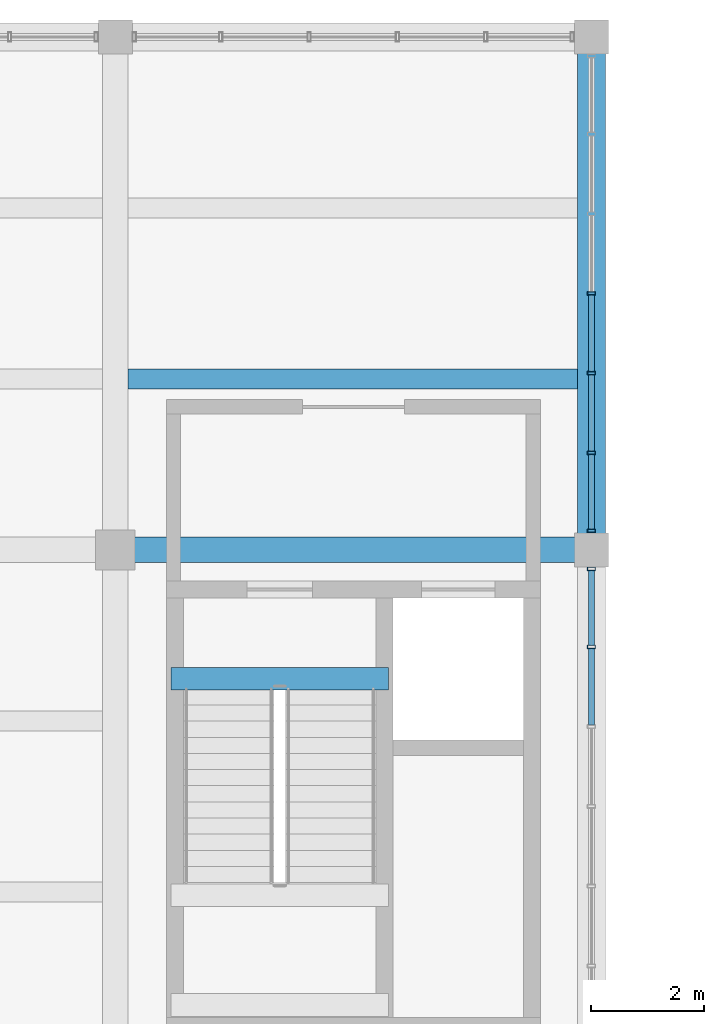
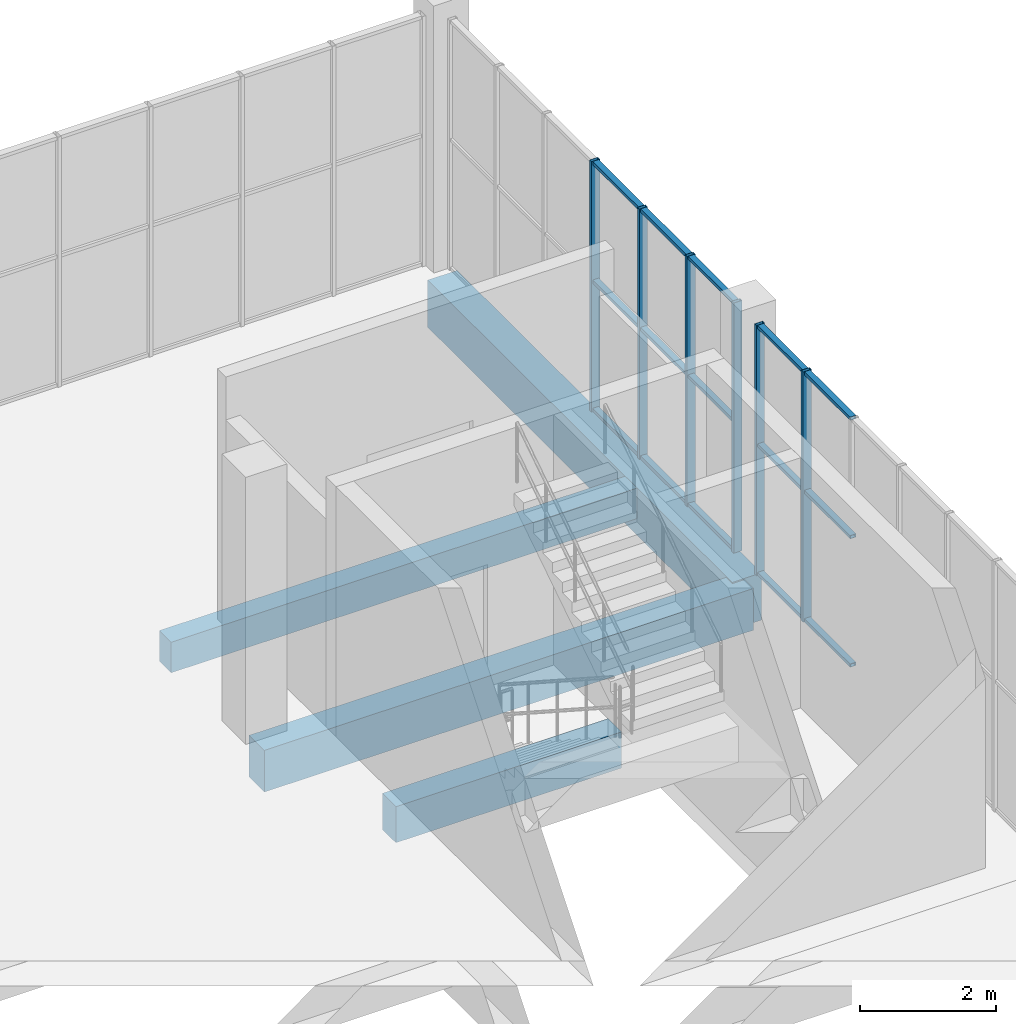
# One storey, part 34 of 80: 21 members, 4 beams, 2 elements without a shape of their own.
"""IFC4 building model written with IfcOpenShell, lengths in metres."""

from ifc_helpers import new_model, si_unit, direction, frame, origin, origin_2d, place, context, subcontext, project, spatial, rectangle, hollow_rectangle, extrude, material, material_profile, profile_set, type_object, element, aggregate, save


model = new_model("IFC4")

# Units and contexts
model_context = context("Model", 3, precision=1e-05, world=origin(), true_north=direction((0.0, 1.0)))
body_context = subcontext(model_context, "Body", "Model", "MODEL_VIEW")
ifc_project = project(units=[si_unit("LENGTHUNIT", "METRE"), si_unit("AREAUNIT", "SQUARE_METRE"), si_unit("VOLUMEUNIT", "CUBIC_METRE"), si_unit("PLANEANGLEUNIT", "RADIAN"), si_unit("MASSUNIT", "GRAM", prefix="KILO")], contexts=[model_context])

# Site, building, storey
site_placement = place(None, origin())
site = spatial("IfcSite", under=ifc_project, at=site_placement, CompositionType="ELEMENT")
building_placement = place(site_placement, origin())
building = spatial("IfcBuilding", under=site, at=building_placement, Name="Khurvash Pelagic Aquarium", CompositionType="ELEMENT")
storey_placement = place(building_placement, frame((0.0, 0.0, 10.800048828125)))
storey = spatial("IfcBuildingStorey", under=building, at=storey_placement, Name="L02", CompositionType="ELEMENT", Elevation=10.800048828125)

# Beams
ifc_material_1 = material(Name="Concrete C35/45", Category="concrete")
ifc_material_profile_1 = material_profile(ifc_material_1, rectangle(XDim=0.449951171875, YDim=0.75, at=origin_2d()), Name="RC450X750")
ifc_profile_set_1 = profile_set([ifc_material_profile_1], Name="Concrete C35/45")
beam_type_1 = type_object("IfcBeamType", Name="BM-04", PredefinedType="BEAM", material=ifc_profile_set_1)
beam_1_placement = place(storey_placement, frame((109.239990234375, 93.10009765625, -0.695068359375), z_axis=(1.0, 0.0, 0.0), x_axis=(0.0, 1.0, 0.0)))
element("IfcBeam", 1, at=beam_1_placement, inside=storey, type_object=beam_type_1, Name="L02 Primary Girder BM-04 00638", PredefinedType="BEAM", context=body_context, shape_type="SweptSolid", body=[
    extrude(rectangle(XDim=0.449951171875, YDim=0.75, at=origin_2d()), origin(), (0.0, 0.0, 1.0), 8.320068359375),
])
ifc_material_profile_2 = material_profile(ifc_material_1, rectangle(XDim=0.39990234375, YDim=0.64990234375, at=origin_2d()), Name="RC400X650")
ifc_profile_set_2 = profile_set([ifc_material_profile_2], Name="Concrete C35/45")
beam_type_2 = type_object("IfcBeamType", Name="BM-05", PredefinedType="BEAM", material=ifc_profile_set_2)
beam_2_placement = place(storey_placement, frame((110.179931640625, 90.830078125, -0.625), z_axis=(1.0, 0.0, 0.0), x_axis=(0.0, 1.0, 0.0)))
element("IfcBeam", 2, at=beam_2_placement, inside=storey, type_object=beam_type_2, Name="L02 Stair ST-06 Header Trimmer Beam BM-05", PredefinedType="BEAM", context=body_context, shape_type="SweptSolid", body=[
    extrude(rectangle(XDim=0.39990234375, YDim=0.64990234375, at=origin_2d()), origin(), (0.0, 0.0, 1.0), 3.840087890625),
])

# Curtain wall, members
ifc_material_2 = material(Name="Anodised aluminium and low-E laminated glass", Category="aluminium")
curtain_wall_type = type_object("IfcCurtainWallType", Name="CW-03", PredefinedType="USERDEFINED", material=ifc_material_2)
curtain_wall_1_placement = place(storey_placement, origin())
curtain_wall_1 = element("IfcCurtainWall", 3, at=curtain_wall_1_placement, inside=storey, type_object=curtain_wall_type, Name="L02 Facade Unitised Curtain Wall CW-03 0162", ObjectType="UNITISED CURTAIN WALL", PredefinedType="USERDEFINED")
ifc_material_3 = material(Name="Extruded aluminium AW-6063-T6", Category="aluminium")
ifc_material_profile_3 = material_profile(ifc_material_3, hollow_rectangle(XDim=0.06005859375, YDim=0.139892578125, WallThickness=0.00390625, at=origin_2d()), Name="CWM60X140X4")
ifc_profile_set_3 = profile_set([ifc_material_profile_3], Name="Extruded aluminium AW-6063-T6")
member_type_1 = type_object("IfcMemberType", Name="CM-03", PredefinedType="MULLION", material=ifc_profile_set_3)
member_1_placement = place(storey_placement, frame((117.60009765625, 91.388427734375, 0.0), z_axis=(0.0, 0.0, 1.0), x_axis=(0.0, 1.0, 0.0)))
member_1 = element("IfcMember", 4, at=member_1_placement, type_object=member_type_1, Name="CW-03 mullion 6", PredefinedType="MULLION", context=body_context, shape_type="SweptSolid", body=[
    extrude(hollow_rectangle(XDim=0.06005859375, YDim=0.139892578125, WallThickness=0.00390625, at=origin_2d()), origin(), (0.0, 0.0, 1.0), 4.5),
])
member_2_placement = place(storey_placement, frame((117.60009765625, 92.764892578125, 0.0), z_axis=(0.0, 0.0, 1.0), x_axis=(0.0, 1.0, 0.0)))
member_2 = element("IfcMember", 5, at=member_2_placement, type_object=member_type_1, Name="CW-03 mullion 7", PredefinedType="MULLION", context=body_context, shape_type="SweptSolid", body=[
    extrude(hollow_rectangle(XDim=0.06005859375, YDim=0.139892578125, WallThickness=0.00390625, at=origin_2d()), origin(), (0.0, 0.0, 1.0), 4.5),
])

curtain_wall_2_placement = place(storey_placement, origin())
curtain_wall_2 = element("IfcCurtainWall", 6, at=curtain_wall_2_placement, inside=storey, type_object=curtain_wall_type, Name="L02 Facade Unitised Curtain Wall CW-03 0163", ObjectType="UNITISED CURTAIN WALL", PredefinedType="USERDEFINED")
member_3_placement = place(storey_placement, frame((117.60009765625, 93.43505859375, 0.0), z_axis=(0.0, 0.0, 1.0), x_axis=(0.0, 1.0, 0.0)))
member_3 = element("IfcMember", 7, at=member_3_placement, type_object=member_type_1, Name="CW-03 mullion 1", PredefinedType="MULLION", context=body_context, shape_type="SweptSolid", body=[
    extrude(hollow_rectangle(XDim=0.06005859375, YDim=0.139892578125, WallThickness=0.00390625, at=origin_2d()), origin(), (0.0, 0.0, 1.0), 4.5),
])
member_4_placement = place(storey_placement, frame((117.60009765625, 94.811767578125, 0.0), z_axis=(0.0, 0.0, 1.0), x_axis=(0.0, 1.0, 0.0)))
member_4 = element("IfcMember", 8, at=member_4_placement, type_object=member_type_1, Name="CW-03 mullion 2", PredefinedType="MULLION", context=body_context, shape_type="SweptSolid", body=[
    extrude(hollow_rectangle(XDim=0.06005859375, YDim=0.139892578125, WallThickness=0.00390625, at=origin_2d()), origin(), (0.0, 0.0, 1.0), 4.5),
])
member_5_placement = place(storey_placement, frame((117.60009765625, 96.21826171875, 0.0), z_axis=(0.0, 0.0, 1.0), x_axis=(0.0, 1.0, 0.0)))
member_5 = element("IfcMember", 9, at=member_5_placement, type_object=member_type_1, Name="CW-03 mullion 3", PredefinedType="MULLION", context=body_context, shape_type="SweptSolid", body=[
    extrude(hollow_rectangle(XDim=0.06005859375, YDim=0.139892578125, WallThickness=0.00390625, at=origin_2d()), origin(), (0.0, 0.0, 1.0), 4.5),
])
member_6_placement = place(storey_placement, frame((117.60009765625, 97.625, 0.0), z_axis=(0.0, 0.0, 1.0), x_axis=(0.0, 1.0, 0.0)))
member_6 = element("IfcMember", 10, at=member_6_placement, type_object=member_type_1, Name="CW-03 mullion 4", PredefinedType="MULLION", context=body_context, shape_type="SweptSolid", body=[
    extrude(hollow_rectangle(XDim=0.06005859375, YDim=0.139892578125, WallThickness=0.00390625, at=origin_2d()), origin(), (0.0, 0.0, 1.0), 4.5),
])

# Member
ifc_material_profile_4 = material_profile(ifc_material_3, hollow_rectangle(XDim=0.10009765625, YDim=0.06005859375, WallThickness=0.00390625, at=origin_2d()), Name="CWT100X60X4")
ifc_profile_set_4 = profile_set([ifc_material_profile_4], Name="Extruded aluminium AW-6063-T6")
member_type_2 = type_object("IfcMemberType", Name="CT-03", PredefinedType="USERDEFINED", material=ifc_profile_set_4)
member_7_placement = place(storey_placement, frame((117.60009765625, 90.01171875, 0.030029296875), z_axis=(0.0, 1.0, 0.0), x_axis=(-1.0, 0.0, 0.0)))
member_7 = element("IfcMember", 11, at=member_7_placement, type_object=member_type_2, Name="CW-03 transom 5.1", ObjectType="TRANSOM", PredefinedType="USERDEFINED", context=body_context, shape_type="SweptSolid", body=[
    extrude(hollow_rectangle(XDim=0.10009765625, YDim=0.06005859375, WallThickness=0.00390625, at=origin_2d()), origin(), (0.0, 0.0, 1.0), 1.3466796875),
])

member_8_placement = place(storey_placement, frame((117.60009765625, 90.01171875, 2.33984375), z_axis=(0.0, 1.0, 0.0), x_axis=(-1.0, 0.0, 0.0)))
member_8 = element("IfcMember", 12, at=member_8_placement, type_object=member_type_2, Name="CW-03 transom 5.2", ObjectType="TRANSOM", PredefinedType="USERDEFINED", context=body_context, shape_type="SweptSolid", body=[
    extrude(hollow_rectangle(XDim=0.10009765625, YDim=0.06005859375, WallThickness=0.00390625, at=origin_2d()), origin(), (0.0, 0.0, 1.0), 1.3466796875),
])

member_9_placement = place(storey_placement, frame((117.60009765625, 90.01171875, 4.469970703125), z_axis=(0.0, 1.0, 0.0), x_axis=(-1.0, 0.0, 0.0)))
member_9 = element("IfcMember", 13, at=member_9_placement, type_object=member_type_2, Name="CW-03 transom 5.3", ObjectType="TRANSOM", PredefinedType="USERDEFINED", context=body_context, shape_type="SweptSolid", body=[
    extrude(hollow_rectangle(XDim=0.10009765625, YDim=0.06005859375, WallThickness=0.00390625, at=origin_2d()), origin(), (0.0, 0.0, 1.0), 1.3466796875),
])

member_10_placement = place(storey_placement, frame((117.60009765625, 91.418212890625, 0.030029296875), z_axis=(0.0, 1.0, 0.0), x_axis=(-1.0, 0.0, 0.0)))
member_10 = element("IfcMember", 14, at=member_10_placement, type_object=member_type_2, Name="CW-03 transom 6.1", ObjectType="TRANSOM", PredefinedType="USERDEFINED", context=body_context, shape_type="SweptSolid", body=[
    extrude(hollow_rectangle(XDim=0.10009765625, YDim=0.06005859375, WallThickness=0.00390625, at=origin_2d()), origin(), (0.0, 0.0, 1.0), 1.31689453125),
])

member_11_placement = place(storey_placement, frame((117.60009765625, 91.418212890625, 2.33984375), z_axis=(0.0, 1.0, 0.0), x_axis=(-1.0, 0.0, 0.0)))
member_11 = element("IfcMember", 15, at=member_11_placement, type_object=member_type_2, Name="CW-03 transom 6.2", ObjectType="TRANSOM", PredefinedType="USERDEFINED", context=body_context, shape_type="SweptSolid", body=[
    extrude(hollow_rectangle(XDim=0.10009765625, YDim=0.06005859375, WallThickness=0.00390625, at=origin_2d()), origin(), (0.0, 0.0, 1.0), 1.31689453125),
])

member_12_placement = place(storey_placement, frame((117.60009765625, 91.418212890625, 4.469970703125), z_axis=(0.0, 1.0, 0.0), x_axis=(-1.0, 0.0, 0.0)))
member_12 = element("IfcMember", 16, at=member_12_placement, type_object=member_type_2, Name="CW-03 transom 6.3", ObjectType="TRANSOM", PredefinedType="USERDEFINED", context=body_context, shape_type="SweptSolid", body=[
    extrude(hollow_rectangle(XDim=0.10009765625, YDim=0.06005859375, WallThickness=0.00390625, at=origin_2d()), origin(), (0.0, 0.0, 1.0), 1.31689453125),
])

aggregate(curtain_wall_1, [member_1, member_2, member_7, member_8, member_9, member_10, member_11, member_12])

member_13_placement = place(storey_placement, frame((117.60009765625, 93.465087890625, 0.030029296875), z_axis=(0.0, 1.0, 0.0), x_axis=(-1.0, 0.0, 0.0)))
member_13 = element("IfcMember", 17, at=member_13_placement, type_object=member_type_2, Name="CW-03 transom 1.1", ObjectType="TRANSOM", PredefinedType="USERDEFINED", context=body_context, shape_type="SweptSolid", body=[
    extrude(hollow_rectangle(XDim=0.10009765625, YDim=0.06005859375, WallThickness=0.00390625, at=origin_2d()), origin(), (0.0, 0.0, 1.0), 1.316650390625),
])

member_14_placement = place(storey_placement, frame((117.60009765625, 93.465087890625, 2.33984375), z_axis=(0.0, 1.0, 0.0), x_axis=(-1.0, 0.0, 0.0)))
member_14 = element("IfcMember", 18, at=member_14_placement, type_object=member_type_2, Name="CW-03 transom 1.2", ObjectType="TRANSOM", PredefinedType="USERDEFINED", context=body_context, shape_type="SweptSolid", body=[
    extrude(hollow_rectangle(XDim=0.10009765625, YDim=0.06005859375, WallThickness=0.00390625, at=origin_2d()), origin(), (0.0, 0.0, 1.0), 1.316650390625),
])

member_15_placement = place(storey_placement, frame((117.60009765625, 93.465087890625, 4.469970703125), z_axis=(0.0, 1.0, 0.0), x_axis=(-1.0, 0.0, 0.0)))
member_15 = element("IfcMember", 19, at=member_15_placement, type_object=member_type_2, Name="CW-03 transom 1.3", ObjectType="TRANSOM", PredefinedType="USERDEFINED", context=body_context, shape_type="SweptSolid", body=[
    extrude(hollow_rectangle(XDim=0.10009765625, YDim=0.06005859375, WallThickness=0.00390625, at=origin_2d()), origin(), (0.0, 0.0, 1.0), 1.316650390625),
])

member_16_placement = place(storey_placement, frame((117.60009765625, 94.841552734375, 0.030029296875), z_axis=(0.0, 1.0, 0.0), x_axis=(-1.0, 0.0, 0.0)))
member_16 = element("IfcMember", 20, at=member_16_placement, type_object=member_type_2, Name="CW-03 transom 2.1", ObjectType="TRANSOM", PredefinedType="USERDEFINED", context=body_context, shape_type="SweptSolid", body=[
    extrude(hollow_rectangle(XDim=0.10009765625, YDim=0.06005859375, WallThickness=0.00390625, at=origin_2d()), origin(), (0.0, 0.0, 1.0), 1.3466796875),
])

member_17_placement = place(storey_placement, frame((117.60009765625, 94.841552734375, 2.33984375), z_axis=(0.0, 1.0, 0.0), x_axis=(-1.0, 0.0, 0.0)))
member_17 = element("IfcMember", 21, at=member_17_placement, type_object=member_type_2, Name="CW-03 transom 2.2", ObjectType="TRANSOM", PredefinedType="USERDEFINED", context=body_context, shape_type="SweptSolid", body=[
    extrude(hollow_rectangle(XDim=0.10009765625, YDim=0.06005859375, WallThickness=0.00390625, at=origin_2d()), origin(), (0.0, 0.0, 1.0), 1.3466796875),
])

member_18_placement = place(storey_placement, frame((117.60009765625, 94.841552734375, 4.469970703125), z_axis=(0.0, 1.0, 0.0), x_axis=(-1.0, 0.0, 0.0)))
member_18 = element("IfcMember", 22, at=member_18_placement, type_object=member_type_2, Name="CW-03 transom 2.3", ObjectType="TRANSOM", PredefinedType="USERDEFINED", context=body_context, shape_type="SweptSolid", body=[
    extrude(hollow_rectangle(XDim=0.10009765625, YDim=0.06005859375, WallThickness=0.00390625, at=origin_2d()), origin(), (0.0, 0.0, 1.0), 1.3466796875),
])

member_19_placement = place(storey_placement, frame((117.60009765625, 96.248291015625, 0.030029296875), z_axis=(0.0, 1.0, 0.0), x_axis=(-1.0, 0.0, 0.0)))
member_19 = element("IfcMember", 23, at=member_19_placement, type_object=member_type_2, Name="CW-03 transom 3.1", ObjectType="TRANSOM", PredefinedType="USERDEFINED", context=body_context, shape_type="SweptSolid", body=[
    extrude(hollow_rectangle(XDim=0.10009765625, YDim=0.06005859375, WallThickness=0.00390625, at=origin_2d()), origin(), (0.0, 0.0, 1.0), 1.3466796875),
])

member_20_placement = place(storey_placement, frame((117.60009765625, 96.248291015625, 2.33984375), z_axis=(0.0, 1.0, 0.0), x_axis=(-1.0, 0.0, 0.0)))
member_20 = element("IfcMember", 24, at=member_20_placement, type_object=member_type_2, Name="CW-03 transom 3.2", ObjectType="TRANSOM", PredefinedType="USERDEFINED", context=body_context, shape_type="SweptSolid", body=[
    extrude(hollow_rectangle(XDim=0.10009765625, YDim=0.06005859375, WallThickness=0.00390625, at=origin_2d()), origin(), (0.0, 0.0, 1.0), 1.3466796875),
])

member_21_placement = place(storey_placement, frame((117.60009765625, 96.248291015625, 4.469970703125), z_axis=(0.0, 1.0, 0.0), x_axis=(-1.0, 0.0, 0.0)))
member_21 = element("IfcMember", 25, at=member_21_placement, type_object=member_type_2, Name="CW-03 transom 3.3", ObjectType="TRANSOM", PredefinedType="USERDEFINED", context=body_context, shape_type="SweptSolid", body=[
    extrude(hollow_rectangle(XDim=0.10009765625, YDim=0.06005859375, WallThickness=0.00390625, at=origin_2d()), origin(), (0.0, 0.0, 1.0), 1.3466796875),
])

aggregate(curtain_wall_2, [member_3, member_4, member_5, member_6, member_13, member_14, member_15, member_16, member_17, member_18, member_19, member_20, member_21])

# Beams
ifc_material_profile_5 = material_profile(ifc_material_1, rectangle(XDim=0.35009765625, YDim=0.550048828125, at=origin_2d()), Name="RC350X550")
ifc_profile_set_5 = profile_set([ifc_material_profile_5], Name="Concrete C35/45")
beam_type_3 = type_object("IfcBeamType", Name="JS-01", PredefinedType="JOIST", material=ifc_profile_set_5)
beam_3_placement = place(storey_placement, frame((109.425048828125, 96.116943359375, -0.574951171875), z_axis=(1.0, 0.0, 0.0), x_axis=(0.0, 1.0, 0.0)))
element("IfcBeam", 26, at=beam_3_placement, inside=storey, type_object=beam_type_3, Name="L02 Floor Joist JS-01 00827", PredefinedType="JOIST", context=body_context, shape_type="SweptSolid", body=[
    extrude(rectangle(XDim=0.35009765625, YDim=0.550048828125, at=origin_2d()), origin(), (0.0, 0.0, 1.0), 7.925048828125),
])
ifc_material_4 = material(Name="Concrete C40/50", Category="concrete")
ifc_material_profile_6 = material_profile(ifc_material_4, rectangle(XDim=0.5, YDim=0.85009765625, at=origin_2d()), Name="RC500X850")
ifc_profile_set_6 = profile_set([ifc_material_profile_6], Name="Concrete C40/50")
beam_type_4 = type_object("IfcBeamType", Name="SEB-03", PredefinedType="SPANDREL", material=ifc_profile_set_6)
beam_4_placement = place(storey_placement, frame((117.60009765625, 93.139892578125, -0.72509765625), z_axis=(0.0, 1.0, 0.0), x_axis=(-1.0, 0.0, 0.0)))
element("IfcBeam", 27, at=beam_4_placement, inside=storey, type_object=beam_type_4, Name="L02 Primary Girder SEB-03 00719", PredefinedType="SPANDREL", context=body_context, shape_type="SweptSolid", body=[
    extrude(rectangle(XDim=0.5, YDim=0.85009765625, at=origin_2d()), origin(), (0.0, 0.0, 1.0), 8.97021484375),
])

save(model, "model.ifc")
